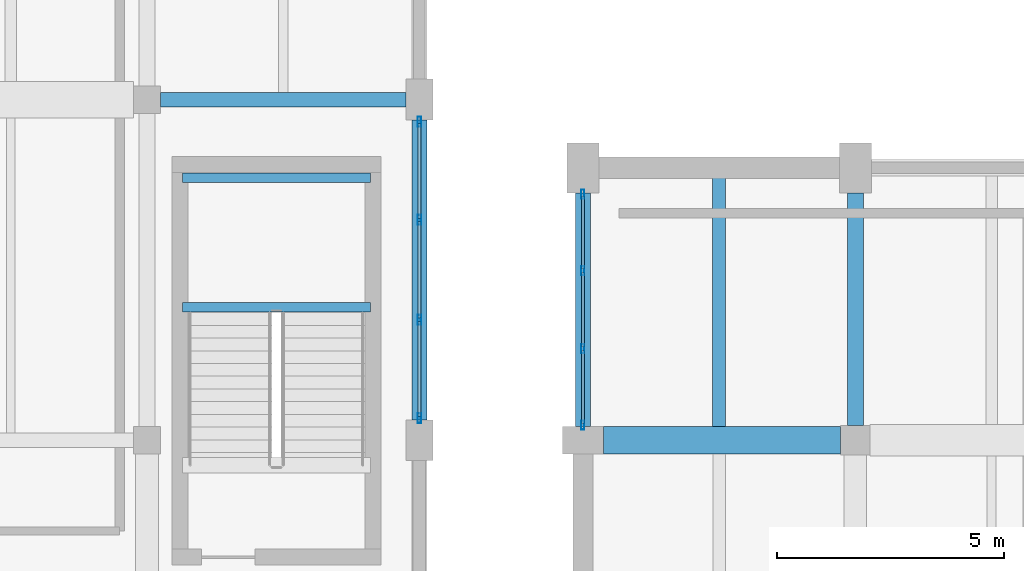
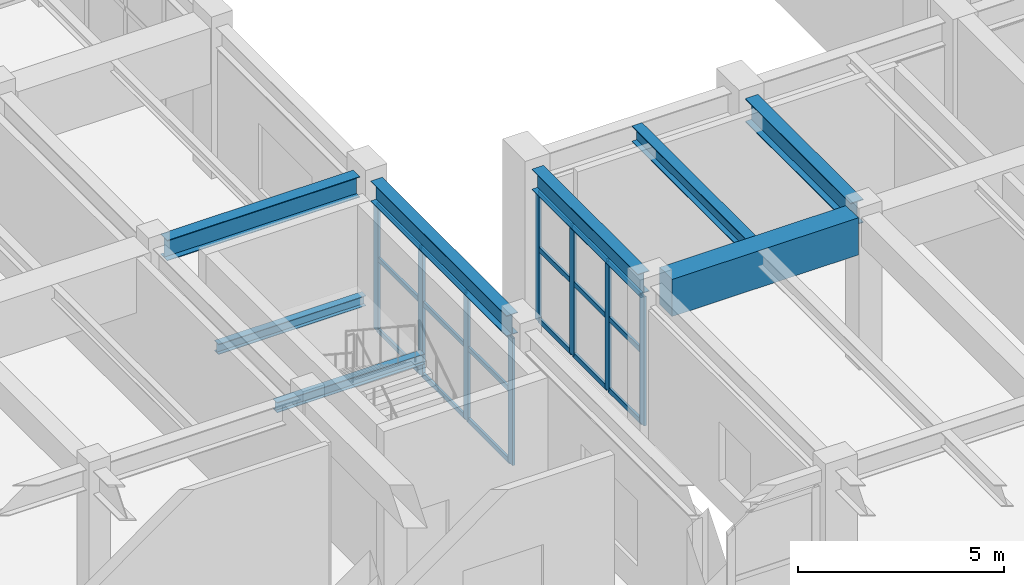
# One storey, part 40 of 85: 26 members, 8 beams, 2 elements without a shape of their own.
"""IFC4 building model written with IfcOpenShell, lengths in metres."""

from ifc_helpers import new_model, si_unit, direction, frame, origin, origin_2d, place, context, subcontext, project, spatial, rectangle, hollow_rectangle, i_section, extrude, material, layer, layer_set, material_profile, profile_set, type_object, element, aggregate, save


model = new_model("IFC4")

# Units and contexts
model_context = context("Model", 3, precision=1e-05, world=origin(), true_north=direction((0.0, 1.0)))
body_context = subcontext(model_context, "Body", "Model", "MODEL_VIEW")
ifc_project = project(units=[si_unit("LENGTHUNIT", "METRE"), si_unit("AREAUNIT", "SQUARE_METRE"), si_unit("VOLUMEUNIT", "CUBIC_METRE"), si_unit("PLANEANGLEUNIT", "RADIAN"), si_unit("MASSUNIT", "GRAM", prefix="KILO")], contexts=[model_context])

# Site, building, storey
site_placement = place(None, origin())
site = spatial("IfcSite", under=ifc_project, at=site_placement, CompositionType="ELEMENT")
building_placement = place(site_placement, origin())
building = spatial("IfcBuilding", under=site, at=building_placement, Name="Vaelkrest Opera House", CompositionType="ELEMENT")
storey_placement = place(building_placement, frame((0.0, 0.0, 10.199951171875)))
storey = spatial("IfcBuildingStorey", under=building, at=storey_placement, Name="L02", CompositionType="ELEMENT", Elevation=10.199951171875)

# Beams
ifc_material_1 = material(Name="Concrete C50/60", Category="concrete")
ifc_material_profile_1 = material_profile(ifc_material_1, rectangle(XDim=0.60009765625, YDim=1.10009765625, at=origin_2d()), Name="RCB600X1100")
ifc_profile_set_1 = profile_set([ifc_material_profile_1], Name="Concrete C50/60")
beam_type_1 = type_object("IfcBeamType", Name="B05", PredefinedType="BEAM", material=ifc_profile_set_1)
beam_1_placement = place(storey_placement, frame((-29.550048828125, 10.199951171875, 3.955078125), z_axis=(1.0, 0.0, 0.0), x_axis=(0.0, 1.0, 0.0)))
element("IfcBeam", 1, at=beam_1_placement, inside=storey, type_object=beam_type_1, Name="Beam BM-V1-L02-0350", PredefinedType="BEAM", context=body_context, shape_type="SweptSolid", body=[
    extrude(rectangle(XDim=0.60009765625, YDim=1.10009765625, at=origin_2d()), origin(), (0.0, 0.0, 1.0), 5.22509765625),
])
ifc_material_2 = material(Name="Steel A992 Gr50", Category="steel")
ifc_material_profile_2 = material_profile(ifc_material_2, i_section(OverallWidth=0.323974609375, OverallDepth=0.611083984375, WebThickness=0.0126953125, FlangeThickness=0.01904296875, at=origin_2d()), Name="W24X104")
ifc_profile_set_2 = profile_set([ifc_material_profile_2], Name="Steel A992 Gr50")
beam_type_2 = type_object("IfcBeamType", Name="B08", PredefinedType="BEAM", material=ifc_profile_set_2)
beam_2_placement = place(storey_placement, frame((-39.300048828125, 17.699951171875, 4.1396484375), z_axis=(1.0, 0.0, 0.0), x_axis=(0.0, 1.0, 0.0)))
element("IfcBeam", 2, at=beam_2_placement, inside=storey, type_object=beam_type_2, Name="Beam BM-V3-L02-1649", PredefinedType="BEAM", context=body_context, shape_type="SweptSolid", body=[
    extrude(i_section(OverallWidth=0.323974609375, OverallDepth=0.611083984375, WebThickness=0.0126953125, FlangeThickness=0.01904296875, at=origin_2d()), origin(), (0.0, 0.0, 1.0), 5.400146484375),
])
ifc_material_profile_3 = material_profile(ifc_material_2, i_section(OverallWidth=0.35498046875, OverallDepth=0.695068359375, WebThickness=0.015380859375, FlangeThickness=0.02490234375, at=origin_2d()), Name="W27X146")
ifc_profile_set_3 = profile_set([ifc_material_profile_3], Name="Steel A992 Gr50")
beam_type_3 = type_object("IfcBeamType", Name="B10", PredefinedType="BEAM", material=ifc_profile_set_3)
beam_3_placement = place(storey_placement, frame((-24.0, 10.52490234375, 4.157470703125), z_axis=(0.0, 1.0, 0.0), x_axis=(-1.0, 0.0, 0.0)))
element("IfcBeam", 3, at=beam_3_placement, inside=storey, type_object=beam_type_3, Name="Beam BM-V1-L02-0377", PredefinedType="BEAM", context=body_context, shape_type="SweptSolid", body=[
    extrude(i_section(OverallWidth=0.35498046875, OverallDepth=0.695068359375, WebThickness=0.015380859375, FlangeThickness=0.02490234375, at=origin_2d()), origin(), (0.0, 0.0, 1.0), 5.125),
])

# Curtain wall, members
ifc_material_3 = material(Name="Dark bronze anodized aluminium", Category="aluminium")
ifc_layer_1 = layer(ifc_material_3, 0.18994140625)
ifc_layer_set_1 = layer_set([ifc_layer_1], Name="Dark bronze anodized aluminium")
curtain_wall_type_1 = type_object("IfcCurtainWallType", Name="CW02", PredefinedType="NOTDEFINED", material=ifc_layer_set_1)
curtain_wall_1_placement = place(storey_placement, origin())
curtain_wall_1 = element("IfcCurtainWall", 4, at=curtain_wall_1_placement, inside=storey, type_object=curtain_wall_type_1, Name="Curtain wall CW-L02-038", PredefinedType="NOTDEFINED")
ifc_material_profile_4 = material_profile(ifc_material_3, hollow_rectangle(XDim=0.070068359375, YDim=0.199951171875, WallThickness=0.004150390625, at=origin_2d()), Name="CWM70X200")
ifc_profile_set_4 = profile_set([ifc_material_profile_4], Name="Dark bronze anodized aluminium")
member_type_1 = type_object("IfcMemberType", Name="CWM02", PredefinedType="MULLION", material=ifc_profile_set_4)
member_1_placement = place(storey_placement, frame((-30.0, 10.532958984375, 0.0), z_axis=(0.0, 0.0, 1.0), x_axis=(-1.0, 0.0, 0.0)))
member_1 = element("IfcMember", 5, at=member_1_placement, type_object=member_type_1, Name="CW02 mullion 1", PredefinedType="MULLION", context=body_context, shape_type="SweptSolid", body=[
    extrude(hollow_rectangle(XDim=0.070068359375, YDim=0.199951171875, WallThickness=0.004150390625, at=origin_2d()), origin(), (0.0, 0.0, 1.0), 3.8291015625),
])
member_2_placement = place(storey_placement, frame((-30.0, 12.216064453125, 0.0), z_axis=(0.0, 0.0, 1.0), x_axis=(-1.0, 0.0, 0.0)))
member_2 = element("IfcMember", 6, at=member_2_placement, type_object=member_type_1, Name="CW02 mullion 2", PredefinedType="MULLION", context=body_context, shape_type="SweptSolid", body=[
    extrude(hollow_rectangle(XDim=0.070068359375, YDim=0.199951171875, WallThickness=0.004150390625, at=origin_2d()), origin(), (0.0, 0.0, 1.0), 3.8291015625),
])
member_3_placement = place(storey_placement, frame((-30.0, 13.93408203125, 0.0), z_axis=(0.0, 0.0, 1.0), x_axis=(-1.0, 0.0, 0.0)))
member_3 = element("IfcMember", 7, at=member_3_placement, type_object=member_type_1, Name="CW02 mullion 3", PredefinedType="MULLION", context=body_context, shape_type="SweptSolid", body=[
    extrude(hollow_rectangle(XDim=0.070068359375, YDim=0.199951171875, WallThickness=0.004150390625, at=origin_2d()), origin(), (0.0, 0.0, 1.0), 3.8291015625),
])
member_4_placement = place(storey_placement, frame((-30.0, 15.616943359375, 0.0), z_axis=(0.0, 0.0, 1.0), x_axis=(-1.0, 0.0, 0.0)))
member_4 = element("IfcMember", 8, at=member_4_placement, type_object=member_type_1, Name="CW02 mullion 4", PredefinedType="MULLION", context=body_context, shape_type="SweptSolid", body=[
    extrude(hollow_rectangle(XDim=0.070068359375, YDim=0.199951171875, WallThickness=0.004150390625, at=origin_2d()), origin(), (0.0, 0.0, 1.0), 3.8291015625),
])

ifc_layer_2 = layer(ifc_material_3, 0.239990234375)
ifc_layer_set_2 = layer_set([ifc_layer_2], Name="Dark bronze anodized aluminium")
curtain_wall_type_2 = type_object("IfcCurtainWallType", Name="CW07", PredefinedType="NOTDEFINED", material=ifc_layer_set_2)
curtain_wall_2_placement = place(storey_placement, origin())
curtain_wall_2 = element("IfcCurtainWall", 9, at=curtain_wall_2_placement, inside=storey, type_object=curtain_wall_type_2, Name="Curtain wall CW-L02-124", PredefinedType="NOTDEFINED")
ifc_material_profile_5 = material_profile(ifc_material_3, hollow_rectangle(XDim=0.074951171875, YDim=0.219970703125, WallThickness=0.00439453125, at=origin_2d()), Name="CWM75X220")
ifc_profile_set_5 = profile_set([ifc_material_profile_5], Name="Dark bronze anodized aluminium")
member_type_2 = type_object("IfcMemberType", Name="CWM03", PredefinedType="MULLION", material=ifc_profile_set_5)
member_5_placement = place(storey_placement, frame((-33.60009765625, 17.214599609375, 0.0), z_axis=(0.0, 0.0, 1.0), x_axis=(1.0, 0.0, 0.0)))
member_5 = element("IfcMember", 10, at=member_5_placement, type_object=member_type_2, Name="CW07 mullion 1", PredefinedType="MULLION", context=body_context, shape_type="SweptSolid", body=[
    extrude(hollow_rectangle(XDim=0.074951171875, YDim=0.219970703125, WallThickness=0.00439453125, at=origin_2d()), origin(), (0.0, 0.0, 1.0), 3.76904296875),
])
member_6_placement = place(storey_placement, frame((-33.60009765625, 15.05078125, 0.0), z_axis=(0.0, 0.0, 1.0), x_axis=(1.0, 0.0, 0.0)))
member_6 = element("IfcMember", 11, at=member_6_placement, type_object=member_type_2, Name="CW07 mullion 2", PredefinedType="MULLION", context=body_context, shape_type="SweptSolid", body=[
    extrude(hollow_rectangle(XDim=0.074951171875, YDim=0.219970703125, WallThickness=0.00439453125, at=origin_2d()), origin(), (0.0, 0.0, 1.0), 3.76904296875),
])
member_7_placement = place(storey_placement, frame((-33.60009765625, 12.849365234375, 0.0), z_axis=(0.0, 0.0, 1.0), x_axis=(1.0, 0.0, 0.0)))
member_7 = element("IfcMember", 12, at=member_7_placement, type_object=member_type_2, Name="CW07 mullion 3", PredefinedType="MULLION", context=body_context, shape_type="SweptSolid", body=[
    extrude(hollow_rectangle(XDim=0.074951171875, YDim=0.219970703125, WallThickness=0.00439453125, at=origin_2d()), origin(), (0.0, 0.0, 1.0), 3.76904296875),
])
member_8_placement = place(storey_placement, frame((-33.60009765625, 10.685546875, 0.0), z_axis=(0.0, 0.0, 1.0), x_axis=(1.0, 0.0, 0.0)))
member_8 = element("IfcMember", 13, at=member_8_placement, type_object=member_type_2, Name="CW07 mullion 4", PredefinedType="MULLION", context=body_context, shape_type="SweptSolid", body=[
    extrude(hollow_rectangle(XDim=0.074951171875, YDim=0.219970703125, WallThickness=0.00439453125, at=origin_2d()), origin(), (0.0, 0.0, 1.0), 3.76904296875),
])
ifc_material_profile_6 = material_profile(ifc_material_3, hollow_rectangle(XDim=0.06494140625, YDim=0.139892578125, WallThickness=0.00390625, at=origin_2d()), Name="CWT65X140")
ifc_profile_set_6 = profile_set([ifc_material_profile_6], Name="Dark bronze anodized aluminium")
member_type_3 = type_object("IfcMemberType", Name="CWT01", PredefinedType="USERDEFINED", material=ifc_profile_set_6)
member_9_placement = place(storey_placement, frame((-33.60009765625, 17.177001953125, 0.032470703125), z_axis=(0.0, -1.0, 0.0), x_axis=(1.0, 0.0, 0.0)))
member_9 = element("IfcMember", 14, at=member_9_placement, type_object=member_type_3, Name="CW07 transom 1.1", ObjectType="TRANSOM", PredefinedType="USERDEFINED", context=body_context, shape_type="SweptSolid", body=[
    extrude(hollow_rectangle(XDim=0.06494140625, YDim=0.139892578125, WallThickness=0.00390625, at=origin_2d()), origin(), (0.0, 0.0, 1.0), 2.0888671875),
])
member_10_placement = place(storey_placement, frame((-33.60009765625, 17.177001953125, 2.150146484375), z_axis=(0.0, -1.0, 0.0), x_axis=(1.0, 0.0, 0.0)))
member_10 = element("IfcMember", 15, at=member_10_placement, type_object=member_type_3, Name="CW07 transom 1.2", ObjectType="TRANSOM", PredefinedType="USERDEFINED", context=body_context, shape_type="SweptSolid", body=[
    extrude(hollow_rectangle(XDim=0.06494140625, YDim=0.139892578125, WallThickness=0.00390625, at=origin_2d()), origin(), (0.0, 0.0, 1.0), 2.0888671875),
])
member_11_placement = place(storey_placement, frame((-33.60009765625, 17.177001953125, 3.736572265625), z_axis=(0.0, -1.0, 0.0), x_axis=(1.0, 0.0, 0.0)))
member_11 = element("IfcMember", 16, at=member_11_placement, type_object=member_type_3, Name="CW07 transom 1.3", ObjectType="TRANSOM", PredefinedType="USERDEFINED", context=body_context, shape_type="SweptSolid", body=[
    extrude(hollow_rectangle(XDim=0.06494140625, YDim=0.139892578125, WallThickness=0.00390625, at=origin_2d()), origin(), (0.0, 0.0, 1.0), 2.0888671875),
])
member_12_placement = place(storey_placement, frame((-33.60009765625, 15.01318359375, 0.032470703125), z_axis=(0.0, -1.0, 0.0), x_axis=(1.0, 0.0, 0.0)))
member_12 = element("IfcMember", 17, at=member_12_placement, type_object=member_type_3, Name="CW07 transom 2.1", ObjectType="TRANSOM", PredefinedType="USERDEFINED", context=body_context, shape_type="SweptSolid", body=[
    extrude(hollow_rectangle(XDim=0.06494140625, YDim=0.139892578125, WallThickness=0.00390625, at=origin_2d()), origin(), (0.0, 0.0, 1.0), 2.12646484375),
])
member_13_placement = place(storey_placement, frame((-33.60009765625, 15.01318359375, 2.150146484375), z_axis=(0.0, -1.0, 0.0), x_axis=(1.0, 0.0, 0.0)))
member_13 = element("IfcMember", 18, at=member_13_placement, type_object=member_type_3, Name="CW07 transom 2.2", ObjectType="TRANSOM", PredefinedType="USERDEFINED", context=body_context, shape_type="SweptSolid", body=[
    extrude(hollow_rectangle(XDim=0.06494140625, YDim=0.139892578125, WallThickness=0.00390625, at=origin_2d()), origin(), (0.0, 0.0, 1.0), 2.12646484375),
])
member_14_placement = place(storey_placement, frame((-33.60009765625, 15.01318359375, 3.736572265625), z_axis=(0.0, -1.0, 0.0), x_axis=(1.0, 0.0, 0.0)))
member_14 = element("IfcMember", 19, at=member_14_placement, type_object=member_type_3, Name="CW07 transom 2.3", ObjectType="TRANSOM", PredefinedType="USERDEFINED", context=body_context, shape_type="SweptSolid", body=[
    extrude(hollow_rectangle(XDim=0.06494140625, YDim=0.139892578125, WallThickness=0.00390625, at=origin_2d()), origin(), (0.0, 0.0, 1.0), 2.12646484375),
])
member_15_placement = place(storey_placement, frame((-33.60009765625, 12.811767578125, 0.032470703125), z_axis=(0.0, -1.0, 0.0), x_axis=(1.0, 0.0, 0.0)))
member_15 = element("IfcMember", 20, at=member_15_placement, type_object=member_type_3, Name="CW07 transom 3.1", ObjectType="TRANSOM", PredefinedType="USERDEFINED", context=body_context, shape_type="SweptSolid", body=[
    extrude(hollow_rectangle(XDim=0.06494140625, YDim=0.139892578125, WallThickness=0.00390625, at=origin_2d()), origin(), (0.0, 0.0, 1.0), 2.0888671875),
])
member_16_placement = place(storey_placement, frame((-33.60009765625, 12.811767578125, 2.150146484375), z_axis=(0.0, -1.0, 0.0), x_axis=(1.0, 0.0, 0.0)))
member_16 = element("IfcMember", 21, at=member_16_placement, type_object=member_type_3, Name="CW07 transom 3.2", ObjectType="TRANSOM", PredefinedType="USERDEFINED", context=body_context, shape_type="SweptSolid", body=[
    extrude(hollow_rectangle(XDim=0.06494140625, YDim=0.139892578125, WallThickness=0.00390625, at=origin_2d()), origin(), (0.0, 0.0, 1.0), 2.0888671875),
])
member_17_placement = place(storey_placement, frame((-33.60009765625, 12.811767578125, 3.736572265625), z_axis=(0.0, -1.0, 0.0), x_axis=(1.0, 0.0, 0.0)))
member_17 = element("IfcMember", 22, at=member_17_placement, type_object=member_type_3, Name="CW07 transom 3.3", ObjectType="TRANSOM", PredefinedType="USERDEFINED", context=body_context, shape_type="SweptSolid", body=[
    extrude(hollow_rectangle(XDim=0.06494140625, YDim=0.139892578125, WallThickness=0.00390625, at=origin_2d()), origin(), (0.0, 0.0, 1.0), 2.0888671875),
])
aggregate(curtain_wall_2, [member_5, member_6, member_7, member_8, member_9, member_10, member_11, member_12, member_13, member_14, member_15, member_16, member_17])

# Member
ifc_material_profile_7 = material_profile(ifc_material_3, hollow_rectangle(XDim=0.070068359375, YDim=0.14990234375, WallThickness=0.004150390625, at=origin_2d()), Name="CWT70X150")
ifc_profile_set_7 = profile_set([ifc_material_profile_7], Name="Dark bronze anodized aluminium")
member_type_4 = type_object("IfcMemberType", Name="CWT02", PredefinedType="USERDEFINED", material=ifc_profile_set_7)
member_18_placement = place(storey_placement, frame((-30.0, 10.568115234375, 0.03515625), z_axis=(0.0, 1.0, 0.0), x_axis=(-1.0, 0.0, 0.0)))
member_18 = element("IfcMember", 23, at=member_18_placement, type_object=member_type_4, Name="CW02 transom 1.1", ObjectType="TRANSOM", PredefinedType="USERDEFINED", context=body_context, shape_type="SweptSolid", body=[
    extrude(hollow_rectangle(XDim=0.070068359375, YDim=0.14990234375, WallThickness=0.004150390625, at=origin_2d()), origin(), (0.0, 0.0, 1.0), 1.61279296875),
])

member_19_placement = place(storey_placement, frame((-30.0, 10.568115234375, 2.150146484375), z_axis=(0.0, 1.0, 0.0), x_axis=(-1.0, 0.0, 0.0)))
member_19 = element("IfcMember", 24, at=member_19_placement, type_object=member_type_4, Name="CW02 transom 1.2", ObjectType="TRANSOM", PredefinedType="USERDEFINED", context=body_context, shape_type="SweptSolid", body=[
    extrude(hollow_rectangle(XDim=0.070068359375, YDim=0.14990234375, WallThickness=0.004150390625, at=origin_2d()), origin(), (0.0, 0.0, 1.0), 1.61279296875),
])

member_20_placement = place(storey_placement, frame((-30.0, 10.568115234375, 3.7939453125), z_axis=(0.0, 1.0, 0.0), x_axis=(-1.0, 0.0, 0.0)))
member_20 = element("IfcMember", 25, at=member_20_placement, type_object=member_type_4, Name="CW02 transom 1.3", ObjectType="TRANSOM", PredefinedType="USERDEFINED", context=body_context, shape_type="SweptSolid", body=[
    extrude(hollow_rectangle(XDim=0.070068359375, YDim=0.14990234375, WallThickness=0.004150390625, at=origin_2d()), origin(), (0.0, 0.0, 1.0), 1.61279296875),
])

member_21_placement = place(storey_placement, frame((-30.0, 12.2509765625, 0.03515625), z_axis=(0.0, 1.0, 0.0), x_axis=(-1.0, 0.0, 0.0)))
member_21 = element("IfcMember", 26, at=member_21_placement, type_object=member_type_4, Name="CW02 transom 2.1", ObjectType="TRANSOM", PredefinedType="USERDEFINED", context=body_context, shape_type="SweptSolid", body=[
    extrude(hollow_rectangle(XDim=0.070068359375, YDim=0.14990234375, WallThickness=0.004150390625, at=origin_2d()), origin(), (0.0, 0.0, 1.0), 1.64794921875),
])

member_22_placement = place(storey_placement, frame((-30.0, 12.2509765625, 2.150146484375), z_axis=(0.0, 1.0, 0.0), x_axis=(-1.0, 0.0, 0.0)))
member_22 = element("IfcMember", 27, at=member_22_placement, type_object=member_type_4, Name="CW02 transom 2.2", ObjectType="TRANSOM", PredefinedType="USERDEFINED", context=body_context, shape_type="SweptSolid", body=[
    extrude(hollow_rectangle(XDim=0.070068359375, YDim=0.14990234375, WallThickness=0.004150390625, at=origin_2d()), origin(), (0.0, 0.0, 1.0), 1.64794921875),
])

member_23_placement = place(storey_placement, frame((-30.0, 12.2509765625, 3.7939453125), z_axis=(0.0, 1.0, 0.0), x_axis=(-1.0, 0.0, 0.0)))
member_23 = element("IfcMember", 28, at=member_23_placement, type_object=member_type_4, Name="CW02 transom 2.3", ObjectType="TRANSOM", PredefinedType="USERDEFINED", context=body_context, shape_type="SweptSolid", body=[
    extrude(hollow_rectangle(XDim=0.070068359375, YDim=0.14990234375, WallThickness=0.004150390625, at=origin_2d()), origin(), (0.0, 0.0, 1.0), 1.64794921875),
])

member_24_placement = place(storey_placement, frame((-30.0, 13.968994140625, 0.03515625), z_axis=(0.0, 1.0, 0.0), x_axis=(-1.0, 0.0, 0.0)))
member_24 = element("IfcMember", 29, at=member_24_placement, type_object=member_type_4, Name="CW02 transom 3.1", ObjectType="TRANSOM", PredefinedType="USERDEFINED", context=body_context, shape_type="SweptSolid", body=[
    extrude(hollow_rectangle(XDim=0.070068359375, YDim=0.14990234375, WallThickness=0.004150390625, at=origin_2d()), origin(), (0.0, 0.0, 1.0), 1.613037109375),
])

member_25_placement = place(storey_placement, frame((-30.0, 13.968994140625, 2.150146484375), z_axis=(0.0, 1.0, 0.0), x_axis=(-1.0, 0.0, 0.0)))
member_25 = element("IfcMember", 30, at=member_25_placement, type_object=member_type_4, Name="CW02 transom 3.2", ObjectType="TRANSOM", PredefinedType="USERDEFINED", context=body_context, shape_type="SweptSolid", body=[
    extrude(hollow_rectangle(XDim=0.070068359375, YDim=0.14990234375, WallThickness=0.004150390625, at=origin_2d()), origin(), (0.0, 0.0, 1.0), 1.613037109375),
])

member_26_placement = place(storey_placement, frame((-30.0, 13.968994140625, 3.7939453125), z_axis=(0.0, 1.0, 0.0), x_axis=(-1.0, 0.0, 0.0)))
member_26 = element("IfcMember", 31, at=member_26_placement, type_object=member_type_4, Name="CW02 transom 3.3", ObjectType="TRANSOM", PredefinedType="USERDEFINED", context=body_context, shape_type="SweptSolid", body=[
    extrude(hollow_rectangle(XDim=0.070068359375, YDim=0.14990234375, WallThickness=0.004150390625, at=origin_2d()), origin(), (0.0, 0.0, 1.0), 1.613037109375),
])

aggregate(curtain_wall_1, [member_1, member_2, member_3, member_4, member_18, member_19, member_20, member_21, member_22, member_23, member_24, member_25, member_26])

# Beams
ifc_material_profile_8 = material_profile(ifc_material_2, i_section(OverallWidth=0.202880859375, OverallDepth=0.302978515625, WebThickness=0.007568359375, FlangeThickness=0.01318359375, at=origin_2d()), Name="W12X40")
ifc_profile_set_8 = profile_set([ifc_material_profile_8], Name="Steel A992 Gr50")
beam_type_4 = type_object("IfcBeamType", Name="J02", PredefinedType="JOIST", material=ifc_profile_set_8)
for number, where, z_axis, x_axis, name in (
    (32, (-38.820068359375, 13.1298828125, 2.048583984375), (1.0, 0.0, 0.0), (0.0, 1.0, 0.0), "Stair landing bearer beam ST08 L02-1N"),
    (33, (-38.820068359375, 15.97998046875, 2.048583984375), (1.0, 0.0, 0.0), (0.0, 1.0, 0.0), "Stair landing bearer beam ST08 L02-1F"),
):
    element("IfcBeam", number, at=place(storey_placement, frame(where, z_axis=z_axis, x_axis=x_axis)), inside=storey, type_object=beam_type_4, Name=name, PredefinedType="JOIST", context=body_context, shape_type="SweptSolid", body=[
        extrude(i_section(OverallWidth=0.202880859375, OverallDepth=0.302978515625, WebThickness=0.007568359375, FlangeThickness=0.01318359375, at=origin_2d()), origin(), (0.0, 0.0, 1.0), 4.14013671875),
    ])
ifc_material_profile_9 = material_profile(ifc_material_2, i_section(OverallWidth=0.282958984375, OverallDepth=0.471923828125, WebThickness=0.013671875, FlangeThickness=0.022216796875, at=origin_2d()), Name="W18X97")
ifc_profile_set_9 = profile_set([ifc_material_profile_9], Name="Steel A992 Gr50")
beam_type_5 = type_object("IfcBeamType", Name="J10", PredefinedType="JOIST", material=ifc_profile_set_9)
beam_4_placement = place(storey_placement, frame((-27.0, 10.5, 4.26904296875), z_axis=(0.0, 1.0, 0.0), x_axis=(-1.0, 0.0, 0.0)))
element("IfcBeam", 34, at=beam_4_placement, inside=storey, type_object=beam_type_5, Name="Floor joist JST-V1-L02-0410", PredefinedType="JOIST", context=body_context, shape_type="SweptSolid", body=[
    extrude(i_section(OverallWidth=0.282958984375, OverallDepth=0.471923828125, WebThickness=0.013671875, FlangeThickness=0.022216796875, at=origin_2d()), origin(), (0.0, 0.0, 1.0), 5.5224609375),
])
ifc_material_profile_10 = material_profile(ifc_material_2, i_section(OverallWidth=0.323974609375, OverallDepth=0.611083984375, WebThickness=0.0126953125, FlangeThickness=0.01904296875, at=origin_2d()), Name="W24X104")
ifc_profile_set_10 = profile_set([ifc_material_profile_10], Name="Steel A992 Gr50")
beam_type_6 = type_object("IfcBeamType", Name="SP01", PredefinedType="SPANDREL", material=ifc_profile_set_10)
beam_5_placement = place(storey_placement, frame((-30.0, 10.5, 4.199462890625), z_axis=(0.0, 1.0, 0.0), x_axis=(-1.0, 0.0, 0.0)))
element("IfcBeam", 35, at=beam_5_placement, inside=storey, type_object=beam_type_6, Name="Beam BM-V1-L02-0372", PredefinedType="SPANDREL", context=body_context, shape_type="SweptSolid", body=[
    extrude(i_section(OverallWidth=0.323974609375, OverallDepth=0.611083984375, WebThickness=0.0126953125, FlangeThickness=0.01904296875, at=origin_2d()), origin(), (0.0, 0.0, 1.0), 5.14990234375),
])
beam_6_placement = place(storey_placement, frame((-33.60009765625, 10.64990234375, 4.1396484375), z_axis=(0.0, 1.0, 0.0), x_axis=(-1.0, 0.0, 0.0)))
element("IfcBeam", 36, at=beam_6_placement, inside=storey, type_object=beam_type_6, Name="Beam BM-V3-L02-1703", PredefinedType="SPANDREL", context=body_context, shape_type="SweptSolid", body=[
    extrude(i_section(OverallWidth=0.323974609375, OverallDepth=0.611083984375, WebThickness=0.0126953125, FlangeThickness=0.01904296875, at=origin_2d()), origin(), (0.0, 0.0, 1.0), 6.60009765625),
])

save(model, "model.ifc")
